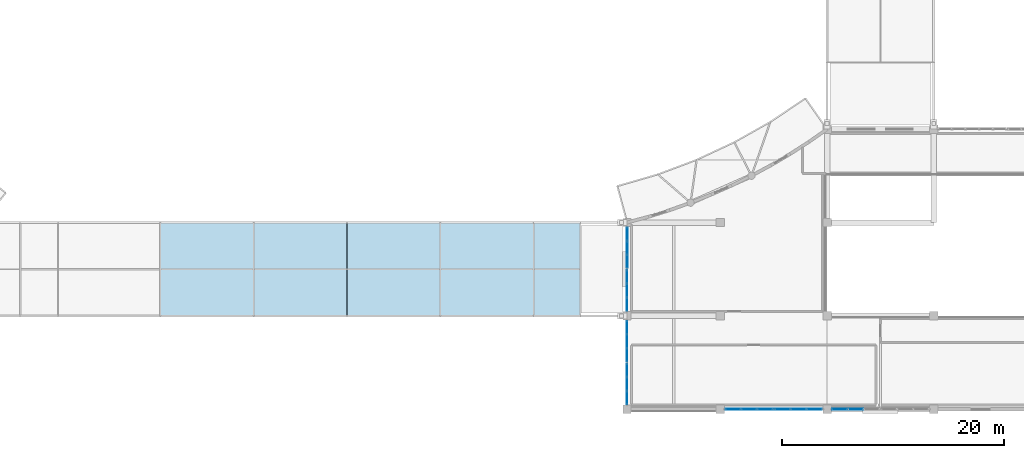
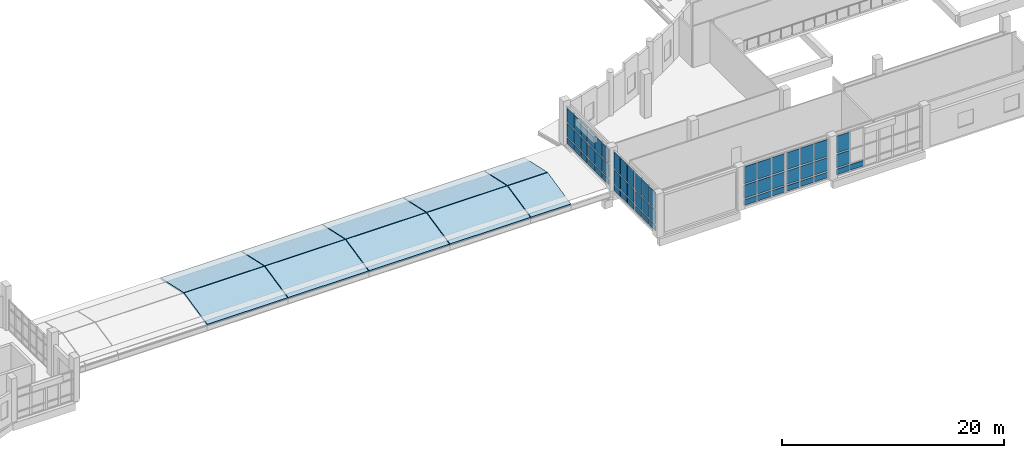
# One storey, part 67 of 106: 58 plates, 10 slabs, 7 elements without a shape of their own.
"""IFC4 building model written with IfcOpenShell, lengths in metres."""

import ifcopenshell
import ifcopenshell.guid

model = None  # the IFC model being written
_history = None  # IfcOwnerHistory: only IFC2X3 demands one
_inside = {}  # id of a spatial element -> (the spatial element, [elements in it])
_under = {}  # id of a project, library or spatial element -> (it, [spatial elements below it])
_declared = {}  # id of a project -> (the project, [libraries it declares])
_typed = {}  # id of a type object -> (the type object, [elements of that type])
_made_of = {}  # id of a material, layer set ... -> (it, [elements and type objects made of it])


def new_model(schema):
    """Start an empty IFC model of exactly this schema.

    Asked for "IFC4X3", IfcOpenShell would pick the latest addendum, in which some entities
    have other attributes; the version numbers below select the first issue.
    IFC2X3 requires an IfcOwnerHistory on every rooted entity: one is made here for all.
    """
    global model, _history
    if schema == "IFC4X3":
        model = ifcopenshell.file(schema_version=(4, 3, 0, 0))
    else:
        model = ifcopenshell.file(schema=schema)
    _inside.clear()
    _under.clear()
    _declared.clear()
    _typed.clear()
    _made_of.clear()
    _history = None
    if model.schema == "IFC2X3":
        org = make("IfcOrganization", Name="unknown")
        user = make(
            "IfcPersonAndOrganization",
            ThePerson=make("IfcPerson", FamilyName="unknown"),
            TheOrganization=org,
        )
        app = make(
            "IfcApplication",
            ApplicationDeveloper=org,
            Version="unknown",
            ApplicationFullName="unknown",
            ApplicationIdentifier="unknown",
        )
        _history = make(
            "IfcOwnerHistory",
            OwningUser=user,
            OwningApplication=app,
            ChangeAction="ADDED",
            CreationDate=0,
        )
    return model


def make(cls, **values):
    """One entity of the class cls with the attributes given. An attribute that is None is left unset."""
    return model.create_entity(
        cls, **{name: value for name, value in values.items() if value is not None}
    )


def rooted(cls, **values):
    """An entity with a GlobalId (a new one), such as an element, a storey or a relation."""
    return make(cls, GlobalId=ifcopenshell.guid.new(), OwnerHistory=_history, **values)


def si_unit(unit_type, name, prefix=None):
    """IfcSIUnit, for example si_unit("LENGTHUNIT", "METRE", prefix="MILLI")."""
    return make("IfcSIUnit", UnitType=unit_type, Prefix=prefix, Name=name)


def assignment(units):
    """IfcUnitAssignment: the units of a project."""
    return None if units is None else make("IfcUnitAssignment", Units=units)


def point(xyz):
    """IfcCartesianPoint."""
    return None if xyz is None else make("IfcCartesianPoint", Coordinates=xyz)


def direction(xyz):
    """IfcDirection."""
    return None if xyz is None else make("IfcDirection", DirectionRatios=xyz)


def frame(location, z_axis=None, x_axis=None):
    """IfcAxis2Placement3D, a coordinate frame: its origin and axes. An axis left out is left unset."""
    return make(
        "IfcAxis2Placement3D",
        Location=point(location),
        Axis=direction(z_axis),
        RefDirection=direction(x_axis),
    )


def frame_2d(location, x_axis=None):
    """IfcAxis2Placement2D, a coordinate frame in the plane: its origin and x axis."""
    return make(
        "IfcAxis2Placement2D", Location=point(location), RefDirection=direction(x_axis)
    )


def origin():
    """The frame at (0, 0, 0) with its axes left unset."""
    return frame((0.0, 0.0, 0.0))


def origin_2d():
    """The frame at (0, 0) in the plane with its x axis left unset."""
    return frame_2d((0.0, 0.0))


def place(relative_to, where):
    """IfcLocalPlacement: puts the frame where relative to a parent placement (None: the world)."""
    return make(
        "IfcLocalPlacement", PlacementRelTo=relative_to, RelativePlacement=where
    )


def context(
    kind, dimensions, precision=None, world=None, true_north=None, identifier=None
):
    """IfcGeometricRepresentationContext, for example the 3D "Model" context."""
    return make(
        "IfcGeometricRepresentationContext",
        ContextIdentifier=identifier,
        ContextType=kind,
        CoordinateSpaceDimension=dimensions,
        Precision=precision,
        WorldCoordinateSystem=world,
        TrueNorth=true_north,
    )


def subcontext(parent, identifier, kind, view, scale=None):
    """IfcGeometricRepresentationSubContext, for example "Body" below "Model"."""
    return make(
        "IfcGeometricRepresentationSubContext",
        ContextIdentifier=identifier,
        ContextType=kind,
        ParentContext=parent,
        TargetScale=scale,
        TargetView=view,
    )


def project(units=None, contexts=None):
    """IfcProject with its units and contexts."""
    return rooted(
        "IfcProject",
        Name="project",
        RepresentationContexts=contexts,
        UnitsInContext=assignment(units),
    )


def spatial(cls, under=None, at=None, **own):
    """A site, building, storey or space (cls), placed at a placement, below another one or the project."""
    s = rooted(cls, ObjectPlacement=at, **own)
    if under is not None:
        _under.setdefault(under.id(), (under, []))[1].append(s)
    return s


def polyline(points):
    """IfcPolyline through the points."""
    return make("IfcPolyline", Points=[point(p) for p in points])


def profile(cls, at=None, kind="AREA", **sizes):
    """A parametric profile (cls). Its sizes go by their IFC names, for example OverallWidth=200.0."""
    return make(cls, ProfileType=kind, Position=at, **sizes)


def rectangle(**sizes):
    """IfcRectangleProfileDef."""
    return profile("IfcRectangleProfileDef", **sizes)


def outline(outer, holes=None, kind="AREA"):
    """IfcArbitraryClosedProfileDef: a profile drawn as a closed curve; with holes, ...WithVoids."""
    if holes is None:
        return make("IfcArbitraryClosedProfileDef", ProfileType=kind, OuterCurve=outer)
    return make(
        "IfcArbitraryProfileDefWithVoids",
        ProfileType=kind,
        OuterCurve=outer,
        InnerCurves=holes,
    )


def extrude(swept, where, along, depth):
    """IfcExtrudedAreaSolid: the profile swept, set in the frame where, extruded along a direction by depth."""
    return make(
        "IfcExtrudedAreaSolid",
        SweptArea=swept,
        Position=where,
        ExtrudedDirection=direction(along),
        Depth=depth,
    )


def shape(context_of_items, identifier, shape_type, items):
    """IfcShapeRepresentation: the items that make up one representation, for example the "Body"."""
    return make(
        "IfcShapeRepresentation",
        ContextOfItems=context_of_items,
        RepresentationIdentifier=identifier,
        RepresentationType=shape_type,
        Items=items,
    )


def material(Name=None, Category=None):
    """IfcMaterial."""
    return make("IfcMaterial", Name=Name, Category=Category)


def layer(
    of_material, thickness, ventilated=None, Name=None, Category=None, Priority=None
):
    """IfcMaterialLayer: one layer of a wall or slab, of a material (None: an air gap)."""
    return make(
        "IfcMaterialLayer",
        Material=of_material,
        LayerThickness=thickness,
        IsVentilated=ventilated,
        Name=Name,
        Category=Category,
        Priority=Priority,
    )


def layer_set(layers, Name=None):
    """IfcMaterialLayerSet."""
    return make("IfcMaterialLayerSet", MaterialLayers=layers, LayerSetName=Name)


def made_of(thing, what):
    """Note that an element or type object is made of a material, layer set ...; save() writes the relation."""
    if what is not None:
        _made_of.setdefault(what.id(), (what, []))[1].append(thing)
    return thing


def type_object(cls, material=None, **own):
    """A type object (cls), such as IfcWallType, which elements share."""
    return made_of(rooted(cls, **own), material)


def element(
    cls,
    number,
    at=None,
    inside=None,
    cuts=None,
    type_object=None,
    material=None,
    context=None,
    identifier="Body",
    shape_type=None,
    held_by="IfcProductDefinitionShape",
    body=None,
    shapes=None,
    **own,
):
    """One element of the class cls, such as IfcWall. Its Tag is "e" and its number.

    at: its placement. inside: the storey or other place that contains it. cuts: it is an
    opening in that element (IfcRelVoidsElement). A single representation is given by context,
    identifier, shape_type and body (its items); several are given by shapes. held_by: the class
    of the entity that holds the representations. save() writes the other relations.
    """
    e = rooted(cls, Tag="e%d" % number, ObjectPlacement=at, **own)
    if body is not None:
        shapes = [shape(context, identifier, shape_type, body)]
    if shapes is not None:
        e.Representation = make(held_by, Representations=shapes)
    if inside is not None:
        _inside.setdefault(inside.id(), (inside, []))[1].append(e)
    if cuts is not None:
        rooted(
            "IfcRelVoidsElement", RelatingBuildingElement=cuts, RelatedOpeningElement=e
        )
    if type_object is not None:
        _typed.setdefault(type_object.id(), (type_object, []))[1].append(e)
    return made_of(e, material)


def aggregate(whole, parts):
    """IfcRelAggregates: a whole, such as a stair, and the parts it consists of."""
    return rooted("IfcRelAggregates", RelatingObject=whole, RelatedObjects=parts)


def save(model, path):
    """Write the relations noted so far, then the file.

    IfcRelAggregates (storeys below a building ...), IfcRelContainedInSpatialStructure (elements
    in a storey), IfcRelDefinesByType, IfcRelAssociatesMaterial and IfcRelDeclares: one each for
    every whole, place, type object, material and project.
    """
    for whole, parts in _under.values():
        aggregate(whole, parts)
    for where, things in _inside.values():
        rooted(
            "IfcRelContainedInSpatialStructure",
            RelatedElements=things,
            RelatingStructure=where,
        )
    for kind, things in _typed.values():
        rooted("IfcRelDefinesByType", RelatedObjects=things, RelatingType=kind)
    for what, things in _made_of.values():
        rooted("IfcRelAssociatesMaterial", RelatedObjects=things, RelatingMaterial=what)
    for by, libraries in _declared.values():
        rooted("IfcRelDeclares", RelatingContext=by, RelatedDefinitions=libraries)
    model.write(path)


model = new_model("IFC4")

# Units and contexts
model_context = context("Model", 3, precision=1e-05, world=origin(), true_north=direction((0.0, 1.0)))
body_context = subcontext(model_context, "Body", "Model", "MODEL_VIEW")
ifc_project = project(units=[si_unit("LENGTHUNIT", "METRE"), si_unit("AREAUNIT", "SQUARE_METRE"), si_unit("VOLUMEUNIT", "CUBIC_METRE"), si_unit("PLANEANGLEUNIT", "RADIAN"), si_unit("MASSUNIT", "GRAM", prefix="KILO")], contexts=[model_context])

# Site, building, storey
site_placement = place(None, origin())
site = spatial("IfcSite", under=ifc_project, at=site_placement, CompositionType="ELEMENT")
building_placement = place(site_placement, origin())
building = spatial("IfcBuilding", under=site, at=building_placement, Name="Kisaragi Civic Commons", CompositionType="ELEMENT")
storey_placement = place(building_placement, frame((0.0, 0.0, 4.800048828125)))
storey = spatial("IfcBuildingStorey", under=building, at=storey_placement, Name="L01", CompositionType="ELEMENT", Elevation=4.800048828125)

# Curtain wall, plates
ifc_material_1 = material(Name="Thermally broken anodized aluminium and low-E double glazing", Category="aluminium")
ifc_layer_1 = layer(ifc_material_1, 0.2099609375, Name="Thermally broken anodized aluminium and low-E double glazing", Category="aluminium")
ifc_layer_set_1 = layer_set([ifc_layer_1], Name="Thermally broken anodized aluminium and low-E double glazing")
curtain_wall_type = type_object("IfcCurtainWallType", Name="CW-02", PredefinedType="NOTDEFINED", material=ifc_layer_set_1)
curtain_wall_1_placement = place(storey_placement, origin())
curtain_wall_1 = element("IfcCurtainWall", 1, at=curtain_wall_1_placement, inside=storey, type_object=curtain_wall_type, Name="L01 curtain wall CW-02 CW-V3-L01-032", PredefinedType="NOTDEFINED")
ifc_layer_2 = layer(ifc_material_1, 0.06396484375, Name="Thermally broken anodized aluminium and low-E double glazing", Category="aluminium")
ifc_layer_set_2 = layer_set([ifc_layer_2], Name="Thermally broken anodized aluminium and low-E double glazing")
plate_type_1 = type_object("IfcPlateType", Name="CWP-04", PredefinedType="CURTAIN_PANEL", material=ifc_layer_set_2)
plate_1_placement = place(storey_placement, frame((126.175048828125, 0.0, 0.15966796875), z_axis=(0.0, 0.0, 1.0), x_axis=(-1.0, 0.0, 0.0)))
plate_1 = element("IfcPlate", 2, at=plate_1_placement, type_object=plate_type_1, Name="CW-02 panel 2.1", PredefinedType="CURTAIN_PANEL", context=body_context, shape_type="SweptSolid", body=[
    extrude(rectangle(XDim=1.38671875, YDim=0.06396484375, at=origin_2d()), origin(), (0.0, 0.0, 1.0), 0.610107421875),
])
plate_2_placement = place(storey_placement, frame((124.73583984375, 0.0, 0.15966796875), z_axis=(0.0, 0.0, 1.0), x_axis=(-1.0, 0.0, 0.0)))
plate_2 = element("IfcPlate", 3, at=plate_2_placement, type_object=plate_type_1, Name="CW-02 panel 3.1", PredefinedType="CURTAIN_PANEL", context=body_context, shape_type="SweptSolid", body=[
    extrude(rectangle(XDim=1.3515625, YDim=0.06396484375, at=origin_2d()), origin(), (0.0, 0.0, 1.0), 0.610107421875),
])
plate_3_placement = place(storey_placement, frame((124.73583984375, 0.0, 0.929931640625), z_axis=(0.0, 0.0, 1.0), x_axis=(-1.0, 0.0, 0.0)))
plate_3 = element("IfcPlate", 4, at=plate_3_placement, type_object=plate_type_1, Name="CW-02 panel 3.2", PredefinedType="CURTAIN_PANEL", context=body_context, shape_type="SweptSolid", body=[
    extrude(rectangle(XDim=1.3515625, YDim=0.06396484375, at=origin_2d()), origin(), (0.0, 0.0, 1.0), 1.43994140625),
])
plate_4_placement = place(storey_placement, frame((124.73583984375, 0.0, 2.52978515625), z_axis=(0.0, 0.0, 1.0), x_axis=(-1.0, 0.0, 0.0)))
plate_4 = element("IfcPlate", 5, at=plate_4_placement, type_object=plate_type_1, Name="CW-02 panel 3.3", PredefinedType="CURTAIN_PANEL", context=body_context, shape_type="SweptSolid", body=[
    extrude(rectangle(XDim=1.3515625, YDim=0.06396484375, at=origin_2d()), origin(), (0.0, 0.0, 1.0), 1.85009765625),
])
aggregate(curtain_wall_1, [plate_1, plate_2, plate_3, plate_4])

curtain_wall_2_placement = place(storey_placement, origin())
curtain_wall_2 = element("IfcCurtainWall", 6, at=curtain_wall_2_placement, inside=storey, type_object=curtain_wall_type, Name="L01 curtain wall CW-02 CW-V3-L01-033", PredefinedType="NOTDEFINED")
ifc_layer_3 = layer(ifc_material_1, 0.048095703125, Name="Thermally broken anodized aluminium and low-E double glazing", Category="aluminium")
ifc_layer_set_3 = layer_set([ifc_layer_3], Name="Thermally broken anodized aluminium and low-E double glazing")
plate_type_2 = type_object("IfcPlateType", Name="CWP-05", PredefinedType="CURTAIN_PANEL", material=ifc_layer_set_3)
plate_5_placement = place(storey_placement, frame((122.464111328125, 0.0, 0.15966796875), z_axis=(0.0, 0.0, 1.0), x_axis=(-1.0, 0.0, 0.0)))
plate_5 = element("IfcPlate", 7, at=plate_5_placement, type_object=plate_type_2, Name="CW-02 panel 1.1", PredefinedType="CURTAIN_PANEL", context=body_context, shape_type="SweptSolid", body=[
    extrude(rectangle(XDim=1.3515625, YDim=0.048095703125, at=origin_2d()), origin(), (0.0, 0.0, 1.0), 0.610107421875),
])
plate_6_placement = place(storey_placement, frame((122.464111328125, 0.0, 0.929931640625), z_axis=(0.0, 0.0, 1.0), x_axis=(-1.0, 0.0, 0.0)))
plate_6 = element("IfcPlate", 8, at=plate_6_placement, type_object=plate_type_2, Name="CW-02 panel 1.2", PredefinedType="CURTAIN_PANEL", context=body_context, shape_type="SweptSolid", body=[
    extrude(rectangle(XDim=1.3515625, YDim=0.048095703125, at=origin_2d()), origin(), (0.0, 0.0, 1.0), 1.43994140625),
])
plate_7_placement = place(storey_placement, frame((122.464111328125, 0.0, 2.52978515625), z_axis=(0.0, 0.0, 1.0), x_axis=(-1.0, 0.0, 0.0)))
plate_7 = element("IfcPlate", 9, at=plate_7_placement, type_object=plate_type_2, Name="CW-02 panel 1.3", PredefinedType="CURTAIN_PANEL", context=body_context, shape_type="SweptSolid", body=[
    extrude(rectangle(XDim=1.3515625, YDim=0.048095703125, at=origin_2d()), origin(), (0.0, 0.0, 1.0), 1.85009765625),
])
plate_8_placement = place(storey_placement, frame((121.02490234375, 0.0, 0.15966796875), z_axis=(0.0, 0.0, 1.0), x_axis=(-1.0, 0.0, 0.0)))
plate_8 = element("IfcPlate", 10, at=plate_8_placement, type_object=plate_type_2, Name="CW-02 panel 2.1", PredefinedType="CURTAIN_PANEL", context=body_context, shape_type="SweptSolid", body=[
    extrude(rectangle(XDim=1.38671875, YDim=0.048095703125, at=origin_2d()), origin(), (0.0, 0.0, 1.0), 0.610107421875),
])
plate_9_placement = place(storey_placement, frame((121.02490234375, 0.0, 0.929931640625), z_axis=(0.0, 0.0, 1.0), x_axis=(-1.0, 0.0, 0.0)))
plate_9 = element("IfcPlate", 11, at=plate_9_placement, type_object=plate_type_2, Name="CW-02 panel 2.2", PredefinedType="CURTAIN_PANEL", context=body_context, shape_type="SweptSolid", body=[
    extrude(rectangle(XDim=1.38671875, YDim=0.048095703125, at=origin_2d()), origin(), (0.0, 0.0, 1.0), 1.43994140625),
])
plate_10_placement = place(storey_placement, frame((121.02490234375, 0.0, 2.52978515625), z_axis=(0.0, 0.0, 1.0), x_axis=(-1.0, 0.0, 0.0)))
plate_10 = element("IfcPlate", 12, at=plate_10_placement, type_object=plate_type_2, Name="CW-02 panel 2.3", PredefinedType="CURTAIN_PANEL", context=body_context, shape_type="SweptSolid", body=[
    extrude(rectangle(XDim=1.38671875, YDim=0.048095703125, at=origin_2d()), origin(), (0.0, 0.0, 1.0), 1.85009765625),
])
plate_11_placement = place(storey_placement, frame((119.5859375, 0.0, 0.15966796875), z_axis=(0.0, 0.0, 1.0), x_axis=(-1.0, 0.0, 0.0)))
plate_11 = element("IfcPlate", 13, at=plate_11_placement, type_object=plate_type_2, Name="CW-02 panel 3.1", PredefinedType="CURTAIN_PANEL", context=body_context, shape_type="SweptSolid", body=[
    extrude(rectangle(XDim=1.3515625, YDim=0.048095703125, at=origin_2d()), origin(), (0.0, 0.0, 1.0), 0.610107421875),
])
plate_12_placement = place(storey_placement, frame((119.5859375, 0.0, 0.929931640625), z_axis=(0.0, 0.0, 1.0), x_axis=(-1.0, 0.0, 0.0)))
plate_12 = element("IfcPlate", 14, at=plate_12_placement, type_object=plate_type_2, Name="CW-02 panel 3.2", PredefinedType="CURTAIN_PANEL", context=body_context, shape_type="SweptSolid", body=[
    extrude(rectangle(XDim=1.3515625, YDim=0.048095703125, at=origin_2d()), origin(), (0.0, 0.0, 1.0), 1.43994140625),
])
plate_13_placement = place(storey_placement, frame((119.5859375, 0.0, 2.52978515625), z_axis=(0.0, 0.0, 1.0), x_axis=(-1.0, 0.0, 0.0)))
plate_13 = element("IfcPlate", 15, at=plate_13_placement, type_object=plate_type_2, Name="CW-02 panel 3.3", PredefinedType="CURTAIN_PANEL", context=body_context, shape_type="SweptSolid", body=[
    extrude(rectangle(XDim=1.3515625, YDim=0.048095703125, at=origin_2d()), origin(), (0.0, 0.0, 1.0), 1.85009765625),
])
aggregate(curtain_wall_2, [plate_5, plate_6, plate_7, plate_8, plate_9, plate_10, plate_11, plate_12, plate_13])

curtain_wall_3_placement = place(storey_placement, origin())
curtain_wall_3 = element("IfcCurtainWall", 16, at=curtain_wall_3_placement, inside=storey, type_object=curtain_wall_type, Name="L01 curtain wall CW-02 CW-V3-L01-034", PredefinedType="NOTDEFINED")
ifc_layer_4 = layer(ifc_material_1, 0.055908203125, Name="Thermally broken anodized aluminium and low-E double glazing", Category="aluminium")
ifc_layer_set_4 = layer_set([ifc_layer_4], Name="Thermally broken anodized aluminium and low-E double glazing")
plate_type_3 = type_object("IfcPlateType", Name="CWP-06", PredefinedType="CURTAIN_PANEL", material=ifc_layer_set_4)
plate_14_placement = place(storey_placement, frame((118.01416015625, 0.0, 0.15966796875), z_axis=(0.0, 0.0, 1.0), x_axis=(-1.0, 0.0, 0.0)))
plate_14 = element("IfcPlate", 17, at=plate_14_placement, type_object=plate_type_3, Name="CW-02 panel 1.1", PredefinedType="CURTAIN_PANEL", context=body_context, shape_type="SweptSolid", body=[
    extrude(rectangle(XDim=1.3515625, YDim=0.055908203125, at=origin_2d()), origin(), (0.0, 0.0, 1.0), 0.610107421875),
])
plate_15_placement = place(storey_placement, frame((118.01416015625, 0.0, 0.929931640625), z_axis=(0.0, 0.0, 1.0), x_axis=(-1.0, 0.0, 0.0)))
plate_15 = element("IfcPlate", 18, at=plate_15_placement, type_object=plate_type_3, Name="CW-02 panel 1.2", PredefinedType="CURTAIN_PANEL", context=body_context, shape_type="SweptSolid", body=[
    extrude(rectangle(XDim=1.3515625, YDim=0.055908203125, at=origin_2d()), origin(), (0.0, 0.0, 1.0), 1.43994140625),
])
plate_16_placement = place(storey_placement, frame((118.01416015625, 0.0, 2.52978515625), z_axis=(0.0, 0.0, 1.0), x_axis=(-1.0, 0.0, 0.0)))
plate_16 = element("IfcPlate", 19, at=plate_16_placement, type_object=plate_type_3, Name="CW-02 panel 1.3", PredefinedType="CURTAIN_PANEL", context=body_context, shape_type="SweptSolid", body=[
    extrude(rectangle(XDim=1.3515625, YDim=0.055908203125, at=origin_2d()), origin(), (0.0, 0.0, 1.0), 1.85009765625),
])
plate_17_placement = place(storey_placement, frame((116.574951171875, 0.0, 0.15966796875), z_axis=(0.0, 0.0, 1.0), x_axis=(-1.0, 0.0, 0.0)))
plate_17 = element("IfcPlate", 20, at=plate_17_placement, type_object=plate_type_3, Name="CW-02 panel 2.1", PredefinedType="CURTAIN_PANEL", context=body_context, shape_type="SweptSolid", body=[
    extrude(rectangle(XDim=1.38671875, YDim=0.055908203125, at=origin_2d()), origin(), (0.0, 0.0, 1.0), 0.610107421875),
])
plate_18_placement = place(storey_placement, frame((116.574951171875, 0.0, 0.929931640625), z_axis=(0.0, 0.0, 1.0), x_axis=(-1.0, 0.0, 0.0)))
plate_18 = element("IfcPlate", 21, at=plate_18_placement, type_object=plate_type_3, Name="CW-02 panel 2.2", PredefinedType="CURTAIN_PANEL", context=body_context, shape_type="SweptSolid", body=[
    extrude(rectangle(XDim=1.38671875, YDim=0.055908203125, at=origin_2d()), origin(), (0.0, 0.0, 1.0), 1.43994140625),
])
plate_19_placement = place(storey_placement, frame((116.574951171875, 0.0, 2.52978515625), z_axis=(0.0, 0.0, 1.0), x_axis=(-1.0, 0.0, 0.0)))
plate_19 = element("IfcPlate", 22, at=plate_19_placement, type_object=plate_type_3, Name="CW-02 panel 2.3", PredefinedType="CURTAIN_PANEL", context=body_context, shape_type="SweptSolid", body=[
    extrude(rectangle(XDim=1.38671875, YDim=0.055908203125, at=origin_2d()), origin(), (0.0, 0.0, 1.0), 1.85009765625),
])
plate_20_placement = place(storey_placement, frame((115.1357421875, 0.0, 0.15966796875), z_axis=(0.0, 0.0, 1.0), x_axis=(-1.0, 0.0, 0.0)))
plate_20 = element("IfcPlate", 23, at=plate_20_placement, type_object=plate_type_3, Name="CW-02 panel 3.1", PredefinedType="CURTAIN_PANEL", context=body_context, shape_type="SweptSolid", body=[
    extrude(rectangle(XDim=1.3515625, YDim=0.055908203125, at=origin_2d()), origin(), (0.0, 0.0, 1.0), 0.610107421875),
])
plate_21_placement = place(storey_placement, frame((115.1357421875, 0.0, 0.929931640625), z_axis=(0.0, 0.0, 1.0), x_axis=(-1.0, 0.0, 0.0)))
plate_21 = element("IfcPlate", 24, at=plate_21_placement, type_object=plate_type_3, Name="CW-02 panel 3.2", PredefinedType="CURTAIN_PANEL", context=body_context, shape_type="SweptSolid", body=[
    extrude(rectangle(XDim=1.3515625, YDim=0.055908203125, at=origin_2d()), origin(), (0.0, 0.0, 1.0), 1.43994140625),
])
plate_22_placement = place(storey_placement, frame((115.1357421875, 0.0, 2.52978515625), z_axis=(0.0, 0.0, 1.0), x_axis=(-1.0, 0.0, 0.0)))
plate_22 = element("IfcPlate", 25, at=plate_22_placement, type_object=plate_type_3, Name="CW-02 panel 3.3", PredefinedType="CURTAIN_PANEL", context=body_context, shape_type="SweptSolid", body=[
    extrude(rectangle(XDim=1.3515625, YDim=0.055908203125, at=origin_2d()), origin(), (0.0, 0.0, 1.0), 1.85009765625),
])
aggregate(curtain_wall_3, [plate_14, plate_15, plate_16, plate_17, plate_18, plate_19, plate_20, plate_21, plate_22])

curtain_wall_4_placement = place(storey_placement, origin())
curtain_wall_4 = element("IfcCurtainWall", 26, at=curtain_wall_4_placement, inside=storey, type_object=curtain_wall_type, Name="L01 curtain wall CW-02 CW-V3-L01-035", PredefinedType="NOTDEFINED")
ifc_layer_5 = layer(ifc_material_1, 0.06005859375, Name="Thermally broken anodized aluminium and low-E double glazing", Category="aluminium")
ifc_layer_set_5 = layer_set([ifc_layer_5], Name="Thermally broken anodized aluminium and low-E double glazing")
plate_type_4 = type_object("IfcPlateType", Name="CWP-07", PredefinedType="CURTAIN_PANEL", material=ifc_layer_set_5)
plate_23_placement = place(storey_placement, frame((105.60009765625, 1.035888671875, 0.15966796875), z_axis=(0.0, 0.0, 1.0), x_axis=(0.0, 1.0, 0.0)))
plate_23 = element("IfcPlate", 27, at=plate_23_placement, type_object=plate_type_4, Name="CW-02 panel 1.1", PredefinedType="CURTAIN_PANEL", context=body_context, shape_type="SweptSolid", body=[
    extrude(rectangle(XDim=1.151611328125, YDim=0.06005859375, at=origin_2d()), origin(), (0.0, 0.0, 1.0), 0.610107421875),
])
plate_24_placement = place(storey_placement, frame((105.60009765625, 1.035888671875, 0.929931640625), z_axis=(0.0, 0.0, 1.0), x_axis=(0.0, 1.0, 0.0)))
plate_24 = element("IfcPlate", 28, at=plate_24_placement, type_object=plate_type_4, Name="CW-02 panel 1.2", PredefinedType="CURTAIN_PANEL", context=body_context, shape_type="SweptSolid", body=[
    extrude(rectangle(XDim=1.151611328125, YDim=0.06005859375, at=origin_2d()), origin(), (0.0, 0.0, 1.0), 1.43994140625),
])
plate_25_placement = place(storey_placement, frame((105.60009765625, 1.035888671875, 2.52978515625), z_axis=(0.0, 0.0, 1.0), x_axis=(0.0, 1.0, 0.0)))
plate_25 = element("IfcPlate", 29, at=plate_25_placement, type_object=plate_type_4, Name="CW-02 panel 1.3", PredefinedType="CURTAIN_PANEL", context=body_context, shape_type="SweptSolid", body=[
    extrude(rectangle(XDim=1.151611328125, YDim=0.06005859375, at=origin_2d()), origin(), (0.0, 0.0, 1.0), 1.85009765625),
])
plate_26_placement = place(storey_placement, frame((105.60009765625, 2.27490234375, 0.15966796875), z_axis=(0.0, 0.0, 1.0), x_axis=(0.0, 1.0, 0.0)))
plate_26 = element("IfcPlate", 30, at=plate_26_placement, type_object=plate_type_4, Name="CW-02 panel 2.1", PredefinedType="CURTAIN_PANEL", context=body_context, shape_type="SweptSolid", body=[
    extrude(rectangle(XDim=1.186767578125, YDim=0.06005859375, at=origin_2d()), origin(), (0.0, 0.0, 1.0), 0.610107421875),
])
plate_27_placement = place(storey_placement, frame((105.60009765625, 2.27490234375, 0.929931640625), z_axis=(0.0, 0.0, 1.0), x_axis=(0.0, 1.0, 0.0)))
plate_27 = element("IfcPlate", 31, at=plate_27_placement, type_object=plate_type_4, Name="CW-02 panel 2.2", PredefinedType="CURTAIN_PANEL", context=body_context, shape_type="SweptSolid", body=[
    extrude(rectangle(XDim=1.186767578125, YDim=0.06005859375, at=origin_2d()), origin(), (0.0, 0.0, 1.0), 1.43994140625),
])
plate_28_placement = place(storey_placement, frame((105.60009765625, 2.27490234375, 2.52978515625), z_axis=(0.0, 0.0, 1.0), x_axis=(0.0, 1.0, 0.0)))
plate_28 = element("IfcPlate", 32, at=plate_28_placement, type_object=plate_type_4, Name="CW-02 panel 2.3", PredefinedType="CURTAIN_PANEL", context=body_context, shape_type="SweptSolid", body=[
    extrude(rectangle(XDim=1.186767578125, YDim=0.06005859375, at=origin_2d()), origin(), (0.0, 0.0, 1.0), 1.85009765625),
])
plate_29_placement = place(storey_placement, frame((105.60009765625, 3.51416015625, 0.15966796875), z_axis=(0.0, 0.0, 1.0), x_axis=(0.0, 1.0, 0.0)))
plate_29 = element("IfcPlate", 33, at=plate_29_placement, type_object=plate_type_4, Name="CW-02 panel 3.1", PredefinedType="CURTAIN_PANEL", context=body_context, shape_type="SweptSolid", body=[
    extrude(rectangle(XDim=1.151611328125, YDim=0.06005859375, at=origin_2d()), origin(), (0.0, 0.0, 1.0), 0.610107421875),
])
plate_30_placement = place(storey_placement, frame((105.60009765625, 3.51416015625, 0.929931640625), z_axis=(0.0, 0.0, 1.0), x_axis=(0.0, 1.0, 0.0)))
plate_30 = element("IfcPlate", 34, at=plate_30_placement, type_object=plate_type_4, Name="CW-02 panel 3.2", PredefinedType="CURTAIN_PANEL", context=body_context, shape_type="SweptSolid", body=[
    extrude(rectangle(XDim=1.151611328125, YDim=0.06005859375, at=origin_2d()), origin(), (0.0, 0.0, 1.0), 1.43994140625),
])
plate_31_placement = place(storey_placement, frame((105.60009765625, 3.51416015625, 2.52978515625), z_axis=(0.0, 0.0, 1.0), x_axis=(0.0, 1.0, 0.0)))
plate_31 = element("IfcPlate", 35, at=plate_31_placement, type_object=plate_type_4, Name="CW-02 panel 3.3", PredefinedType="CURTAIN_PANEL", context=body_context, shape_type="SweptSolid", body=[
    extrude(rectangle(XDim=1.151611328125, YDim=0.06005859375, at=origin_2d()), origin(), (0.0, 0.0, 1.0), 1.85009765625),
])
aggregate(curtain_wall_4, [plate_23, plate_24, plate_25, plate_26, plate_27, plate_28, plate_29, plate_30, plate_31])

curtain_wall_5_placement = place(storey_placement, origin())
curtain_wall_5 = element("IfcCurtainWall", 36, at=curtain_wall_5_placement, inside=storey, type_object=curtain_wall_type, Name="L01 curtain wall CW-02 CW-V3-L01-036", PredefinedType="NOTDEFINED")
ifc_layer_6 = layer(ifc_material_1, 0.073974609375, Name="Thermally broken anodized aluminium and low-E double glazing", Category="aluminium")
ifc_layer_set_6 = layer_set([ifc_layer_6], Name="Thermally broken anodized aluminium and low-E double glazing")
plate_type_5 = type_object("IfcPlateType", Name="CWP-09", PredefinedType="CURTAIN_PANEL", material=ifc_layer_set_6)
plate_32_placement = place(storey_placement, frame((105.60009765625, 4.8857421875, 0.15966796875), z_axis=(0.0, 0.0, 1.0), x_axis=(0.0, 1.0, 0.0)))
plate_32 = element("IfcPlate", 37, at=plate_32_placement, type_object=plate_type_5, Name="CW-02 panel 1.1", PredefinedType="CURTAIN_PANEL", context=body_context, shape_type="SweptSolid", body=[
    extrude(rectangle(XDim=1.151611328125, YDim=0.073974609375, at=origin_2d()), origin(), (0.0, 0.0, 1.0), 0.610107421875),
])
plate_33_placement = place(storey_placement, frame((105.60009765625, 4.8857421875, 0.929931640625), z_axis=(0.0, 0.0, 1.0), x_axis=(0.0, 1.0, 0.0)))
plate_33 = element("IfcPlate", 38, at=plate_33_placement, type_object=plate_type_5, Name="CW-02 panel 1.2", PredefinedType="CURTAIN_PANEL", context=body_context, shape_type="SweptSolid", body=[
    extrude(rectangle(XDim=1.151611328125, YDim=0.073974609375, at=origin_2d()), origin(), (0.0, 0.0, 1.0), 1.43994140625),
])
plate_34_placement = place(storey_placement, frame((105.60009765625, 4.8857421875, 2.52978515625), z_axis=(0.0, 0.0, 1.0), x_axis=(0.0, 1.0, 0.0)))
plate_34 = element("IfcPlate", 39, at=plate_34_placement, type_object=plate_type_5, Name="CW-02 panel 1.3", PredefinedType="CURTAIN_PANEL", context=body_context, shape_type="SweptSolid", body=[
    extrude(rectangle(XDim=1.151611328125, YDim=0.073974609375, at=origin_2d()), origin(), (0.0, 0.0, 1.0), 1.85009765625),
])
plate_35_placement = place(storey_placement, frame((105.60009765625, 6.125, 0.15966796875), z_axis=(0.0, 0.0, 1.0), x_axis=(0.0, 1.0, 0.0)))
plate_35 = element("IfcPlate", 40, at=plate_35_placement, type_object=plate_type_5, Name="CW-02 panel 2.1", PredefinedType="CURTAIN_PANEL", context=body_context, shape_type="SweptSolid", body=[
    extrude(rectangle(XDim=1.186767578125, YDim=0.073974609375, at=origin_2d()), origin(), (0.0, 0.0, 1.0), 0.610107421875),
])
plate_36_placement = place(storey_placement, frame((105.60009765625, 6.125, 0.929931640625), z_axis=(0.0, 0.0, 1.0), x_axis=(0.0, 1.0, 0.0)))
plate_36 = element("IfcPlate", 41, at=plate_36_placement, type_object=plate_type_5, Name="CW-02 panel 2.2", PredefinedType="CURTAIN_PANEL", context=body_context, shape_type="SweptSolid", body=[
    extrude(rectangle(XDim=1.186767578125, YDim=0.073974609375, at=origin_2d()), origin(), (0.0, 0.0, 1.0), 1.43994140625),
])
plate_37_placement = place(storey_placement, frame((105.60009765625, 6.125, 2.52978515625), z_axis=(0.0, 0.0, 1.0), x_axis=(0.0, 1.0, 0.0)))
plate_37 = element("IfcPlate", 42, at=plate_37_placement, type_object=plate_type_5, Name="CW-02 panel 2.3", PredefinedType="CURTAIN_PANEL", context=body_context, shape_type="SweptSolid", body=[
    extrude(rectangle(XDim=1.186767578125, YDim=0.073974609375, at=origin_2d()), origin(), (0.0, 0.0, 1.0), 1.85009765625),
])
plate_38_placement = place(storey_placement, frame((105.60009765625, 7.3642578125, 0.15966796875), z_axis=(0.0, 0.0, 1.0), x_axis=(0.0, 1.0, 0.0)))
plate_38 = element("IfcPlate", 43, at=plate_38_placement, type_object=plate_type_5, Name="CW-02 panel 3.1", PredefinedType="CURTAIN_PANEL", context=body_context, shape_type="SweptSolid", body=[
    extrude(rectangle(XDim=1.151611328125, YDim=0.073974609375, at=origin_2d()), origin(), (0.0, 0.0, 1.0), 0.610107421875),
])
plate_39_placement = place(storey_placement, frame((105.60009765625, 7.3642578125, 0.929931640625), z_axis=(0.0, 0.0, 1.0), x_axis=(0.0, 1.0, 0.0)))
plate_39 = element("IfcPlate", 44, at=plate_39_placement, type_object=plate_type_5, Name="CW-02 panel 3.2", PredefinedType="CURTAIN_PANEL", context=body_context, shape_type="SweptSolid", body=[
    extrude(rectangle(XDim=1.151611328125, YDim=0.073974609375, at=origin_2d()), origin(), (0.0, 0.0, 1.0), 1.43994140625),
])
plate_40_placement = place(storey_placement, frame((105.60009765625, 7.3642578125, 2.52978515625), z_axis=(0.0, 0.0, 1.0), x_axis=(0.0, 1.0, 0.0)))
plate_40 = element("IfcPlate", 45, at=plate_40_placement, type_object=plate_type_5, Name="CW-02 panel 3.3", PredefinedType="CURTAIN_PANEL", context=body_context, shape_type="SweptSolid", body=[
    extrude(rectangle(XDim=1.151611328125, YDim=0.073974609375, at=origin_2d()), origin(), (0.0, 0.0, 1.0), 1.85009765625),
])
aggregate(curtain_wall_5, [plate_32, plate_33, plate_34, plate_35, plate_36, plate_37, plate_38, plate_39, plate_40])

curtain_wall_6_placement = place(storey_placement, origin())
curtain_wall_6 = element("IfcCurtainWall", 46, at=curtain_wall_6_placement, inside=storey, type_object=curtain_wall_type, Name="L01 curtain wall CW-02 CW-V3-L01-037", PredefinedType="NOTDEFINED")
ifc_layer_7 = layer(ifc_material_1, 0.080078125, Name="Thermally broken anodized aluminium and low-E double glazing", Category="aluminium")
ifc_layer_set_7 = layer_set([ifc_layer_7], Name="Thermally broken anodized aluminium and low-E double glazing")
plate_type_6 = type_object("IfcPlateType", Name="CWP-10", PredefinedType="CURTAIN_PANEL", material=ifc_layer_set_7)
plate_41_placement = place(storey_placement, frame((105.60009765625, 9.435791015625, 0.15966796875), z_axis=(0.0, 0.0, 1.0), x_axis=(0.0, 1.0, 0.0)))
plate_41 = element("IfcPlate", 47, at=plate_41_placement, type_object=plate_type_6, Name="CW-02 panel 1.1", PredefinedType="CURTAIN_PANEL", context=body_context, shape_type="SweptSolid", body=[
    extrude(rectangle(XDim=1.151611328125, YDim=0.080078125, at=origin_2d()), origin(), (0.0, 0.0, 1.0), 0.610107421875),
])
plate_42_placement = place(storey_placement, frame((105.60009765625, 9.435791015625, 0.929931640625), z_axis=(0.0, 0.0, 1.0), x_axis=(0.0, 1.0, 0.0)))
plate_42 = element("IfcPlate", 48, at=plate_42_placement, type_object=plate_type_6, Name="CW-02 panel 1.2", PredefinedType="CURTAIN_PANEL", context=body_context, shape_type="SweptSolid", body=[
    extrude(rectangle(XDim=1.151611328125, YDim=0.080078125, at=origin_2d()), origin(), (0.0, 0.0, 1.0), 1.43994140625),
])
plate_43_placement = place(storey_placement, frame((105.60009765625, 9.435791015625, 2.52978515625), z_axis=(0.0, 0.0, 1.0), x_axis=(0.0, 1.0, 0.0)))
plate_43 = element("IfcPlate", 49, at=plate_43_placement, type_object=plate_type_6, Name="CW-02 panel 1.3", PredefinedType="CURTAIN_PANEL", context=body_context, shape_type="SweptSolid", body=[
    extrude(rectangle(XDim=1.151611328125, YDim=0.080078125, at=origin_2d()), origin(), (0.0, 0.0, 1.0), 1.514892578125),
])
plate_44_placement = place(storey_placement, frame((105.60009765625, 10.675048828125, 0.15966796875), z_axis=(0.0, 0.0, 1.0), x_axis=(0.0, 1.0, 0.0)))
plate_44 = element("IfcPlate", 50, at=plate_44_placement, type_object=plate_type_6, Name="CW-02 panel 2.1", PredefinedType="CURTAIN_PANEL", context=body_context, shape_type="SweptSolid", body=[
    extrude(rectangle(XDim=1.186767578125, YDim=0.080078125, at=origin_2d()), origin(), (0.0, 0.0, 1.0), 0.610107421875),
])
plate_45_placement = place(storey_placement, frame((105.60009765625, 10.675048828125, 0.929931640625), z_axis=(0.0, 0.0, 1.0), x_axis=(0.0, 1.0, 0.0)))
plate_45 = element("IfcPlate", 51, at=plate_45_placement, type_object=plate_type_6, Name="CW-02 panel 2.2", PredefinedType="CURTAIN_PANEL", context=body_context, shape_type="SweptSolid", body=[
    extrude(rectangle(XDim=1.186767578125, YDim=0.080078125, at=origin_2d()), origin(), (0.0, 0.0, 1.0), 1.43994140625),
])
plate_46_placement = place(storey_placement, frame((105.60009765625, 10.675048828125, 2.52978515625), z_axis=(0.0, 0.0, 1.0), x_axis=(0.0, 1.0, 0.0)))
plate_46 = element("IfcPlate", 52, at=plate_46_placement, type_object=plate_type_6, Name="CW-02 panel 2.3", PredefinedType="CURTAIN_PANEL", context=body_context, shape_type="SweptSolid", body=[
    extrude(rectangle(XDim=1.186767578125, YDim=0.080078125, at=origin_2d()), origin(), (0.0, 0.0, 1.0), 1.514892578125),
])
plate_47_placement = place(storey_placement, frame((105.60009765625, 11.9140625, 0.15966796875), z_axis=(0.0, 0.0, 1.0), x_axis=(0.0, 1.0, 0.0)))
plate_47 = element("IfcPlate", 53, at=plate_47_placement, type_object=plate_type_6, Name="CW-02 panel 3.1", PredefinedType="CURTAIN_PANEL", context=body_context, shape_type="SweptSolid", body=[
    extrude(rectangle(XDim=1.151611328125, YDim=0.080078125, at=origin_2d()), origin(), (0.0, 0.0, 1.0), 0.610107421875),
])
plate_48_placement = place(storey_placement, frame((105.60009765625, 11.9140625, 0.929931640625), z_axis=(0.0, 0.0, 1.0), x_axis=(0.0, 1.0, 0.0)))
plate_48 = element("IfcPlate", 54, at=plate_48_placement, type_object=plate_type_6, Name="CW-02 panel 3.2", PredefinedType="CURTAIN_PANEL", context=body_context, shape_type="SweptSolid", body=[
    extrude(rectangle(XDim=1.151611328125, YDim=0.080078125, at=origin_2d()), origin(), (0.0, 0.0, 1.0), 1.43994140625),
])
plate_49_placement = place(storey_placement, frame((105.60009765625, 11.9140625, 2.52978515625), z_axis=(0.0, 0.0, 1.0), x_axis=(0.0, 1.0, 0.0)))
plate_49 = element("IfcPlate", 55, at=plate_49_placement, type_object=plate_type_6, Name="CW-02 panel 3.3", PredefinedType="CURTAIN_PANEL", context=body_context, shape_type="SweptSolid", body=[
    extrude(rectangle(XDim=1.151611328125, YDim=0.080078125, at=origin_2d()), origin(), (0.0, 0.0, 1.0), 1.514892578125),
])
aggregate(curtain_wall_6, [plate_41, plate_42, plate_43, plate_44, plate_45, plate_46, plate_47, plate_48, plate_49])

curtain_wall_7_placement = place(storey_placement, origin())
curtain_wall_7 = element("IfcCurtainWall", 56, at=curtain_wall_7_placement, inside=storey, type_object=curtain_wall_type, Name="L01 curtain wall CW-02 CW-V3-L01-038", PredefinedType="NOTDEFINED")
ifc_layer_8 = layer(ifc_material_1, 0.0859375, Name="Thermally broken anodized aluminium and low-E double glazing", Category="aluminium")
ifc_layer_set_8 = layer_set([ifc_layer_8], Name="Thermally broken anodized aluminium and low-E double glazing")
plate_type_7 = type_object("IfcPlateType", Name="CWP-12", PredefinedType="CURTAIN_PANEL", material=ifc_layer_set_8)
plate_50_placement = place(storey_placement, frame((105.60009765625, 13.285888671875, 0.15966796875), z_axis=(0.0, 0.0, 1.0), x_axis=(0.0, 1.0, 0.0)))
plate_50 = element("IfcPlate", 57, at=plate_50_placement, type_object=plate_type_7, Name="CW-02 panel 1.1", PredefinedType="CURTAIN_PANEL", context=body_context, shape_type="SweptSolid", body=[
    extrude(rectangle(XDim=1.151611328125, YDim=0.0859375, at=origin_2d()), origin(), (0.0, 0.0, 1.0), 0.610107421875),
])
plate_51_placement = place(storey_placement, frame((105.60009765625, 13.285888671875, 0.929931640625), z_axis=(0.0, 0.0, 1.0), x_axis=(0.0, 1.0, 0.0)))
plate_51 = element("IfcPlate", 58, at=plate_51_placement, type_object=plate_type_7, Name="CW-02 panel 1.2", PredefinedType="CURTAIN_PANEL", context=body_context, shape_type="SweptSolid", body=[
    extrude(rectangle(XDim=1.151611328125, YDim=0.0859375, at=origin_2d()), origin(), (0.0, 0.0, 1.0), 1.43994140625),
])
plate_52_placement = place(storey_placement, frame((105.60009765625, 13.285888671875, 2.52978515625), z_axis=(0.0, 0.0, 1.0), x_axis=(0.0, 1.0, 0.0)))
plate_52 = element("IfcPlate", 59, at=plate_52_placement, type_object=plate_type_7, Name="CW-02 panel 1.3", PredefinedType="CURTAIN_PANEL", context=body_context, shape_type="SweptSolid", body=[
    extrude(rectangle(XDim=1.151611328125, YDim=0.0859375, at=origin_2d()), origin(), (0.0, 0.0, 1.0), 1.514892578125),
])
plate_53_placement = place(storey_placement, frame((105.60009765625, 14.52490234375, 0.15966796875), z_axis=(0.0, 0.0, 1.0), x_axis=(0.0, 1.0, 0.0)))
plate_53 = element("IfcPlate", 60, at=plate_53_placement, type_object=plate_type_7, Name="CW-02 panel 2.1", PredefinedType="CURTAIN_PANEL", context=body_context, shape_type="SweptSolid", body=[
    extrude(rectangle(XDim=1.186767578125, YDim=0.0859375, at=origin_2d()), origin(), (0.0, 0.0, 1.0), 0.610107421875),
])
plate_54_placement = place(storey_placement, frame((105.60009765625, 14.52490234375, 0.929931640625), z_axis=(0.0, 0.0, 1.0), x_axis=(0.0, 1.0, 0.0)))
plate_54 = element("IfcPlate", 61, at=plate_54_placement, type_object=plate_type_7, Name="CW-02 panel 2.2", PredefinedType="CURTAIN_PANEL", context=body_context, shape_type="SweptSolid", body=[
    extrude(rectangle(XDim=1.186767578125, YDim=0.0859375, at=origin_2d()), origin(), (0.0, 0.0, 1.0), 1.43994140625),
])
plate_55_placement = place(storey_placement, frame((105.60009765625, 14.52490234375, 2.52978515625), z_axis=(0.0, 0.0, 1.0), x_axis=(0.0, 1.0, 0.0)))
plate_55 = element("IfcPlate", 62, at=plate_55_placement, type_object=plate_type_7, Name="CW-02 panel 2.3", PredefinedType="CURTAIN_PANEL", context=body_context, shape_type="SweptSolid", body=[
    extrude(rectangle(XDim=1.186767578125, YDim=0.0859375, at=origin_2d()), origin(), (0.0, 0.0, 1.0), 1.514892578125),
])
plate_56_placement = place(storey_placement, frame((105.60009765625, 15.76416015625, 0.15966796875), z_axis=(0.0, 0.0, 1.0), x_axis=(0.0, 1.0, 0.0)))
plate_56 = element("IfcPlate", 63, at=plate_56_placement, type_object=plate_type_7, Name="CW-02 panel 3.1", PredefinedType="CURTAIN_PANEL", context=body_context, shape_type="SweptSolid", body=[
    extrude(rectangle(XDim=1.151611328125, YDim=0.0859375, at=origin_2d()), origin(), (0.0, 0.0, 1.0), 0.610107421875),
])
plate_57_placement = place(storey_placement, frame((105.60009765625, 15.76416015625, 0.929931640625), z_axis=(0.0, 0.0, 1.0), x_axis=(0.0, 1.0, 0.0)))
plate_57 = element("IfcPlate", 64, at=plate_57_placement, type_object=plate_type_7, Name="CW-02 panel 3.2", PredefinedType="CURTAIN_PANEL", context=body_context, shape_type="SweptSolid", body=[
    extrude(rectangle(XDim=1.151611328125, YDim=0.0859375, at=origin_2d()), origin(), (0.0, 0.0, 1.0), 1.43994140625),
])
plate_58_placement = place(storey_placement, frame((105.60009765625, 15.76416015625, 2.52978515625), z_axis=(0.0, 0.0, 1.0), x_axis=(0.0, 1.0, 0.0)))
plate_58 = element("IfcPlate", 65, at=plate_58_placement, type_object=plate_type_7, Name="CW-02 panel 3.3", PredefinedType="CURTAIN_PANEL", context=body_context, shape_type="SweptSolid", body=[
    extrude(rectangle(XDim=1.151611328125, YDim=0.0859375, at=origin_2d()), origin(), (0.0, 0.0, 1.0), 1.514892578125),
])
aggregate(curtain_wall_7, [plate_50, plate_51, plate_52, plate_53, plate_54, plate_55, plate_56, plate_57, plate_58])

# Slabs
ifc_material_2 = material(Name="Concrete Fc30", Category="concrete")
ifc_layer_9 = layer(ifc_material_2, 0.18994140625, Name="Concrete Fc30", Category="concrete")
ifc_layer_set_9 = layer_set([ifc_layer_9], Name="Concrete Fc30")
slab_type = type_object("IfcSlabType", Name="SL-RF2", PredefinedType="ROOF", material=ifc_layer_set_9)
for number, where, z_axis, x_axis, name in (
    (66, (63.6298828125, 8.39990234375, -0.18994140625), (0.0, -0.214435237054, 0.976738209097), (1.0, 0.0, 0.0), "BR-V1-V3 gable roof facet 37"),
    (67, (63.6298828125, 12.6298828125, 0.7255859375), (0.0, 0.214435237054, 0.976738209097), (1.0, 0.0, 0.0), "BR-V1-V3 gable roof facet 38"),
    (68, (72.030029296875, 8.39990234375, -0.18994140625), (0.0, -0.214435237054, 0.976738209097), (1.0, 0.0, 0.0), "BR-V1-V3 gable roof facet 39"),
    (69, (72.030029296875, 12.6298828125, 0.7255859375), (0.0, 0.214435237054, 0.976738209097), (1.0, 0.0, 0.0), "BR-V1-V3 gable roof facet 40"),
    (70, (80.429931640625, 8.39990234375, -0.18994140625), (0.0, -0.214435237054, 0.976738209097), (1.0, 0.0, 0.0), "BR-V1-V3 gable roof facet 41"),
    (71, (80.429931640625, 12.6298828125, 0.7255859375), (0.0, 0.214435237054, 0.976738209097), (1.0, 0.0, 0.0), "BR-V1-V3 gable roof facet 42"),
):
    element("IfcSlab", number, at=place(storey_placement, frame(where, z_axis=z_axis, x_axis=x_axis)), inside=storey, type_object=slab_type, Name=name, PredefinedType="ROOF", context=body_context, shape_type="SweptSolid", body=[
        extrude(outline(polyline([(0.0, 0.0), (8.340087890625, 0.0), (8.340087890625, 4.269481808724288), (0.0, 4.269481808724288), (0.0, 0.0)])), origin(), (0.0, 0.0, -1.0), 0.18994140625),
    ])
for number, where, z_axis, x_axis, name in (
    (72, (88.830078125, 8.39990234375, -0.18994140625), (0.0, -0.214435237054, 0.976738209097), (1.0, 0.0, 0.0), "BR-V1-V3 gable roof facet 43"),
    (73, (88.830078125, 12.6298828125, 0.7255859375), (0.0, 0.214435237054, 0.976738209097), (1.0, 0.0, 0.0), "BR-V1-V3 gable roof facet 44"),
):
    element("IfcSlab", number, at=place(storey_placement, frame(where, z_axis=z_axis, x_axis=x_axis)), inside=storey, type_object=slab_type, Name=name, PredefinedType="ROOF", context=body_context, shape_type="SweptSolid", body=[
        extrude(outline(polyline([(0.0, 0.0), (8.33984375, 0.0), (8.33984375, 4.269481808724288), (0.0, 4.269481808724288), (0.0, 0.0)])), origin(), (0.0, 0.0, -1.0), 0.18994140625),
    ])
for number, where, z_axis, x_axis, name in (
    (74, (97.22998046875, 8.39990234375, -0.18994140625), (0.0, -0.214435237054, 0.976738209097), (1.0, 0.0, 0.0), "BR-V1-V3 gable roof facet 45"),
    (75, (97.22998046875, 12.6298828125, 0.7255859375), (0.0, 0.214435237054, 0.976738209097), (1.0, 0.0, 0.0), "BR-V1-V3 gable roof facet 46"),
):
    element("IfcSlab", number, at=place(storey_placement, frame(where, z_axis=z_axis, x_axis=x_axis)), inside=storey, type_object=slab_type, Name=name, PredefinedType="ROOF", context=body_context, shape_type="SweptSolid", body=[
        extrude(outline(polyline([(0.0, 0.0), (4.14013671875, 0.0), (4.14013671875, 4.269481808724288), (0.0, 4.269481808724288), (0.0, 0.0)])), origin(), (0.0, 0.0, -1.0), 0.18994140625),
    ])

save(model, "model.ifc")
